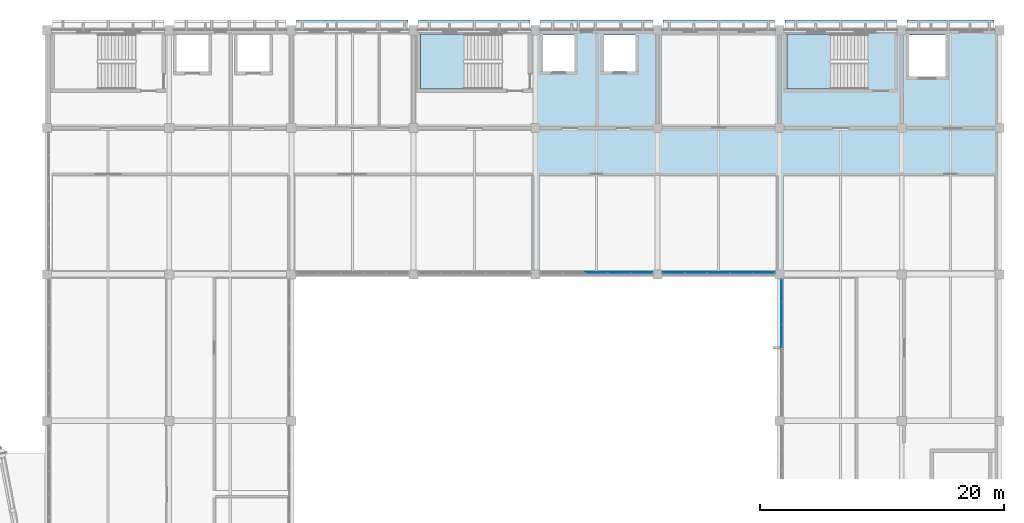
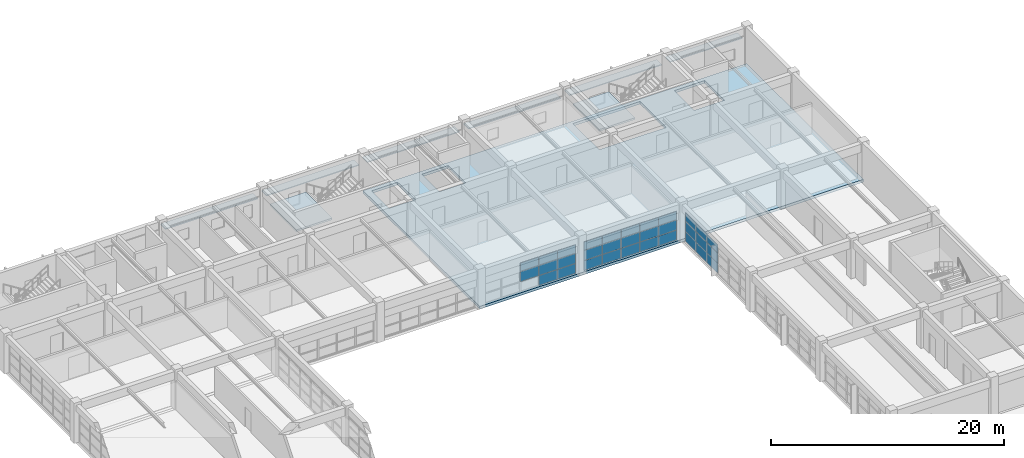
# One storey, part 57 of 83: 38 plates, 3 slabs, 5 elements without a shape of their own.
"""IFC4 building model written with IfcOpenShell, lengths in metres."""

from ifc_helpers import new_model, si_unit, direction, frame, origin, origin_2d, place, context, subcontext, project, spatial, polyline, rectangle, outline, extrude, material, layer, layer_set, type_object, element, aggregate, save


model = new_model("IFC4")

# Units and contexts
model_context = context("Model", 3, precision=1e-05, world=origin(), true_north=direction((0.0, 1.0)))
body_context = subcontext(model_context, "Body", "Model", "MODEL_VIEW")
ifc_project = project(units=[si_unit("LENGTHUNIT", "METRE"), si_unit("AREAUNIT", "SQUARE_METRE"), si_unit("VOLUMEUNIT", "CUBIC_METRE"), si_unit("PLANEANGLEUNIT", "RADIAN"), si_unit("MASSUNIT", "GRAM", prefix="KILO")], contexts=[model_context])

# Site, building, storey
site_placement = place(None, origin())
site = spatial("IfcSite", under=ifc_project, at=site_placement, CompositionType="ELEMENT")
building_placement = place(site_placement, origin())
building = spatial("IfcBuilding", under=site, at=building_placement, Name="Kivolera Central Railway Station", CompositionType="ELEMENT")
storey_placement = place(building_placement, frame((0.0, 0.0, 14.39990234375)))
storey = spatial("IfcBuildingStorey", under=building, at=storey_placement, Name="L03", CompositionType="ELEMENT", Elevation=14.39990234375)

# Curtain wall, plates
ifc_material_1 = material(Name="Anodised aluminium", Category="aluminium")
ifc_layer_1 = layer(ifc_material_1, 0.179931640625, Name="Anodised aluminium")
ifc_layer_set_1 = layer_set([ifc_layer_1], Name="Anodised aluminium")
curtain_wall_type_1 = type_object("IfcCurtainWallType", Name="CW-SYS-30", PredefinedType="NOTDEFINED", material=ifc_layer_set_1)
curtain_wall_1_placement = place(storey_placement, origin())
curtain_wall_1 = element("IfcCurtainWall", 1, at=curtain_wall_1_placement, inside=storey, type_object=curtain_wall_type_1, Name="L03 Curtain Wall CW-L03-CRTE-J", PredefinedType="NOTDEFINED")
ifc_material_2 = material(Name="Double low-E laminated glass", Category="glass")
ifc_layer_2 = layer(ifc_material_2, 0.030029296875, Name="Double low-E laminated glass")
ifc_layer_set_2 = layer_set([ifc_layer_2], Name="Double low-E laminated glass")
plate_type_1 = type_object("IfcPlateType", Name="CWP-GLZ-2", PredefinedType="CURTAIN_PANEL", material=ifc_layer_set_2)
plate_1_placement = place(storey_placement, frame((178.14501953125, 108.938232421875, 0.048095703125), z_axis=(0.0, 0.0, 1.0), x_axis=(0.0, 1.0, 0.0)))
plate_1 = element("IfcPlate", 2, at=plate_1_placement, type_object=plate_type_1, Name="CW-30 panel 4.1", PredefinedType="CURTAIN_PANEL", context=body_context, shape_type="SweptSolid", body=[
    extrude(rectangle(XDim=1.840576171875, YDim=0.030029296875, at=origin_2d()), origin(), (0.0, 0.0, 1.0), 1.01123046875),
])
plate_2_placement = place(storey_placement, frame((178.14501953125, 108.938232421875, 1.09521484375), z_axis=(0.0, 0.0, 1.0), x_axis=(0.0, 1.0, 0.0)))
plate_2 = element("IfcPlate", 3, at=plate_2_placement, type_object=plate_type_1, Name="CW-30 panel 4.2", PredefinedType="CURTAIN_PANEL", context=body_context, shape_type="SweptSolid", body=[
    extrude(rectangle(XDim=1.840576171875, YDim=0.030029296875, at=origin_2d()), origin(), (0.0, 0.0, 1.0), 1.041259765625),
])
plate_3_placement = place(storey_placement, frame((178.14501953125, 108.938232421875, 2.172607421875), z_axis=(0.0, 0.0, 1.0), x_axis=(0.0, 1.0, 0.0)))
plate_3 = element("IfcPlate", 4, at=plate_3_placement, type_object=plate_type_1, Name="CW-30 panel 4.3", PredefinedType="CURTAIN_PANEL", context=body_context, shape_type="SweptSolid", body=[
    extrude(rectangle(XDim=1.840576171875, YDim=0.030029296875, at=origin_2d()), origin(), (0.0, 0.0, 1.0), 0.857421875),
])
plate_4_placement = place(storey_placement, frame((178.14501953125, 110.81494140625, 0.048095703125), z_axis=(0.0, 0.0, 1.0), x_axis=(0.0, 1.0, 0.0)))
plate_4 = element("IfcPlate", 5, at=plate_4_placement, type_object=plate_type_1, Name="CW-30 panel 5.1", PredefinedType="CURTAIN_PANEL", context=body_context, shape_type="SweptSolid", body=[
    extrude(rectangle(XDim=1.840576171875, YDim=0.030029296875, at=origin_2d()), origin(), (0.0, 0.0, 1.0), 1.01123046875),
])
plate_5_placement = place(storey_placement, frame((178.14501953125, 110.81494140625, 1.09521484375), z_axis=(0.0, 0.0, 1.0), x_axis=(0.0, 1.0, 0.0)))
plate_5 = element("IfcPlate", 6, at=plate_5_placement, type_object=plate_type_1, Name="CW-30 panel 5.2", PredefinedType="CURTAIN_PANEL", context=body_context, shape_type="SweptSolid", body=[
    extrude(rectangle(XDim=1.840576171875, YDim=0.030029296875, at=origin_2d()), origin(), (0.0, 0.0, 1.0), 1.041259765625),
])
plate_6_placement = place(storey_placement, frame((178.14501953125, 110.81494140625, 2.172607421875), z_axis=(0.0, 0.0, 1.0), x_axis=(0.0, 1.0, 0.0)))
plate_6 = element("IfcPlate", 7, at=plate_6_placement, type_object=plate_type_1, Name="CW-30 panel 5.3", PredefinedType="CURTAIN_PANEL", context=body_context, shape_type="SweptSolid", body=[
    extrude(rectangle(XDim=1.840576171875, YDim=0.030029296875, at=origin_2d()), origin(), (0.0, 0.0, 1.0), 0.857421875),
])
plate_7_placement = place(storey_placement, frame((178.14501953125, 112.6767578125, 0.048095703125), z_axis=(0.0, 0.0, 1.0), x_axis=(0.0, 1.0, 0.0)))
plate_7 = element("IfcPlate", 8, at=plate_7_placement, type_object=plate_type_1, Name="CW-30 panel 6.1", PredefinedType="CURTAIN_PANEL", context=body_context, shape_type="SweptSolid", body=[
    extrude(rectangle(XDim=1.810546875, YDim=0.030029296875, at=origin_2d()), origin(), (0.0, 0.0, 1.0), 1.01123046875),
])
plate_8_placement = place(storey_placement, frame((178.14501953125, 112.6767578125, 1.09521484375), z_axis=(0.0, 0.0, 1.0), x_axis=(0.0, 1.0, 0.0)))
plate_8 = element("IfcPlate", 9, at=plate_8_placement, type_object=plate_type_1, Name="CW-30 panel 6.2", PredefinedType="CURTAIN_PANEL", context=body_context, shape_type="SweptSolid", body=[
    extrude(rectangle(XDim=1.810546875, YDim=0.030029296875, at=origin_2d()), origin(), (0.0, 0.0, 1.0), 1.041259765625),
])
plate_9_placement = place(storey_placement, frame((178.14501953125, 112.6767578125, 2.172607421875), z_axis=(0.0, 0.0, 1.0), x_axis=(0.0, 1.0, 0.0)))
plate_9 = element("IfcPlate", 10, at=plate_9_placement, type_object=plate_type_1, Name="CW-30 panel 6.3", PredefinedType="CURTAIN_PANEL", context=body_context, shape_type="SweptSolid", body=[
    extrude(rectangle(XDim=1.810546875, YDim=0.030029296875, at=origin_2d()), origin(), (0.0, 0.0, 1.0), 0.857421875),
])
aggregate(curtain_wall_1, [plate_1, plate_2, plate_3, plate_4, plate_5, plate_6, plate_7, plate_8, plate_9])

ifc_layer_3 = layer(ifc_material_1, 0.179931640625, Name="Anodised aluminium")
ifc_layer_set_3 = layer_set([ifc_layer_3], Name="Anodised aluminium")
curtain_wall_type_2 = type_object("IfcCurtainWallType", Name="CW-SYS-29", PredefinedType="NOTDEFINED", material=ifc_layer_set_3)
curtain_wall_2_placement = place(storey_placement, origin())
curtain_wall_2 = element("IfcCurtainWall", 11, at=curtain_wall_2_placement, inside=storey, type_object=curtain_wall_type_2, Name="L03 Curtain Wall CW-L03-CRTN-158", PredefinedType="NOTDEFINED")
ifc_layer_4 = layer(ifc_material_2, 0.0380859375, Name="Double low-E laminated glass")
ifc_layer_set_4 = layer_set([ifc_layer_4], Name="Double low-E laminated glass")
plate_type_2 = type_object("IfcPlateType", Name="CWP-GLZ-4", PredefinedType="CURTAIN_PANEL", material=ifc_layer_set_4)
plate_10_placement = place(storey_placement, frame((166.68896484375, 114.14501953125, 0.048095703125), z_axis=(0.0, 0.0, 1.0), x_axis=(-1.0, 0.0, 0.0)))
plate_10 = element("IfcPlate", 12, at=plate_10_placement, type_object=plate_type_2, Name="CW-29 panel 1.1", PredefinedType="CURTAIN_PANEL", context=body_context, shape_type="SweptSolid", body=[
    extrude(rectangle(XDim=1.785888671875, YDim=0.0380859375, at=origin_2d()), origin(), (0.0, 0.0, 1.0), 1.01123046875),
])
plate_11_placement = place(storey_placement, frame((166.68896484375, 114.14501953125, 1.09521484375), z_axis=(0.0, 0.0, 1.0), x_axis=(-1.0, 0.0, 0.0)))
plate_11 = element("IfcPlate", 13, at=plate_11_placement, type_object=plate_type_2, Name="CW-29 panel 1.2", PredefinedType="CURTAIN_PANEL", context=body_context, shape_type="SweptSolid", body=[
    extrude(rectangle(XDim=1.785888671875, YDim=0.0380859375, at=origin_2d()), origin(), (0.0, 0.0, 1.0), 1.041259765625),
])
plate_12_placement = place(storey_placement, frame((166.68896484375, 114.14501953125, 2.172607421875), z_axis=(0.0, 0.0, 1.0), x_axis=(-1.0, 0.0, 0.0)))
plate_12 = element("IfcPlate", 14, at=plate_12_placement, type_object=plate_type_2, Name="CW-29 panel 1.3", PredefinedType="CURTAIN_PANEL", context=body_context, shape_type="SweptSolid", body=[
    extrude(rectangle(XDim=1.785888671875, YDim=0.0380859375, at=origin_2d()), origin(), (0.0, 0.0, 1.0), 0.857421875),
])
plate_13_placement = place(storey_placement, frame((164.85205078125, 114.14501953125, 0.048095703125), z_axis=(0.0, 0.0, 1.0), x_axis=(-1.0, 0.0, 0.0)))
plate_13 = element("IfcPlate", 15, at=plate_13_placement, type_object=plate_type_2, Name="CW-29 panel 2.1", PredefinedType="CURTAIN_PANEL", context=body_context, shape_type="SweptSolid", body=[
    extrude(rectangle(XDim=1.81591796875, YDim=0.0380859375, at=origin_2d()), origin(), (0.0, 0.0, 1.0), 1.01123046875),
])
plate_14_placement = place(storey_placement, frame((164.85205078125, 114.14501953125, 1.09521484375), z_axis=(0.0, 0.0, 1.0), x_axis=(-1.0, 0.0, 0.0)))
plate_14 = element("IfcPlate", 16, at=plate_14_placement, type_object=plate_type_2, Name="CW-29 panel 2.2", PredefinedType="CURTAIN_PANEL", context=body_context, shape_type="SweptSolid", body=[
    extrude(rectangle(XDim=1.81591796875, YDim=0.0380859375, at=origin_2d()), origin(), (0.0, 0.0, 1.0), 1.041259765625),
])
plate_15_placement = place(storey_placement, frame((164.85205078125, 114.14501953125, 2.172607421875), z_axis=(0.0, 0.0, 1.0), x_axis=(-1.0, 0.0, 0.0)))
plate_15 = element("IfcPlate", 17, at=plate_15_placement, type_object=plate_type_2, Name="CW-29 panel 2.3", PredefinedType="CURTAIN_PANEL", context=body_context, shape_type="SweptSolid", body=[
    extrude(rectangle(XDim=1.81591796875, YDim=0.0380859375, at=origin_2d()), origin(), (0.0, 0.0, 1.0), 0.857421875),
])
plate_16_placement = place(storey_placement, frame((163.0, 114.14501953125, 1.09521484375), z_axis=(0.0, 0.0, 1.0), x_axis=(-1.0, 0.0, 0.0)))
plate_16 = element("IfcPlate", 18, at=plate_16_placement, type_object=plate_type_2, Name="CW-29 panel 3.2", PredefinedType="CURTAIN_PANEL", context=body_context, shape_type="SweptSolid", body=[
    extrude(rectangle(XDim=1.81591796875, YDim=0.0380859375, at=origin_2d()), origin(), (0.0, 0.0, 1.0), 1.041259765625),
])
plate_17_placement = place(storey_placement, frame((163.0, 114.14501953125, 2.172607421875), z_axis=(0.0, 0.0, 1.0), x_axis=(-1.0, 0.0, 0.0)))
plate_17 = element("IfcPlate", 19, at=plate_17_placement, type_object=plate_type_2, Name="CW-29 panel 3.3", PredefinedType="CURTAIN_PANEL", context=body_context, shape_type="SweptSolid", body=[
    extrude(rectangle(XDim=1.81591796875, YDim=0.0380859375, at=origin_2d()), origin(), (0.0, 0.0, 1.0), 0.857421875),
])
aggregate(curtain_wall_2, [plate_10, plate_11, plate_12, plate_13, plate_14, plate_15, plate_16, plate_17])

curtain_wall_3_placement = place(storey_placement, origin())
curtain_wall_3 = element("IfcCurtainWall", 20, at=curtain_wall_3_placement, inside=storey, type_object=curtain_wall_type_2, Name="L03 Curtain Wall CW-L03-CRTN-168", PredefinedType="NOTDEFINED")
ifc_layer_5 = layer(ifc_material_2, 0.0419921875, Name="Double low-E laminated glass")
ifc_layer_set_5 = layer_set([ifc_layer_5], Name="Double low-E laminated glass")
plate_type_3 = type_object("IfcPlateType", Name="CWP-GLZ-5", PredefinedType="CURTAIN_PANEL", material=ifc_layer_set_5)
plate_18_placement = place(storey_placement, frame((176.68896484375, 114.14501953125, 0.048095703125), z_axis=(0.0, 0.0, 1.0), x_axis=(-1.0, 0.0, 0.0)))
plate_18 = element("IfcPlate", 21, at=plate_18_placement, type_object=plate_type_3, Name="CW-29 panel 1.1", PredefinedType="CURTAIN_PANEL", context=body_context, shape_type="SweptSolid", body=[
    extrude(rectangle(XDim=1.785888671875, YDim=0.0419921875, at=origin_2d()), origin(), (0.0, 0.0, 1.0), 1.01123046875),
])
plate_19_placement = place(storey_placement, frame((176.68896484375, 114.14501953125, 1.09521484375), z_axis=(0.0, 0.0, 1.0), x_axis=(-1.0, 0.0, 0.0)))
plate_19 = element("IfcPlate", 22, at=plate_19_placement, type_object=plate_type_3, Name="CW-29 panel 1.2", PredefinedType="CURTAIN_PANEL", context=body_context, shape_type="SweptSolid", body=[
    extrude(rectangle(XDim=1.785888671875, YDim=0.0419921875, at=origin_2d()), origin(), (0.0, 0.0, 1.0), 1.041259765625),
])
plate_20_placement = place(storey_placement, frame((176.68896484375, 114.14501953125, 2.172607421875), z_axis=(0.0, 0.0, 1.0), x_axis=(-1.0, 0.0, 0.0)))
plate_20 = element("IfcPlate", 23, at=plate_20_placement, type_object=plate_type_3, Name="CW-29 panel 1.3", PredefinedType="CURTAIN_PANEL", context=body_context, shape_type="SweptSolid", body=[
    extrude(rectangle(XDim=1.785888671875, YDim=0.0419921875, at=origin_2d()), origin(), (0.0, 0.0, 1.0), 0.857421875),
])
plate_21_placement = place(storey_placement, frame((174.85205078125, 114.14501953125, 0.048095703125), z_axis=(0.0, 0.0, 1.0), x_axis=(-1.0, 0.0, 0.0)))
plate_21 = element("IfcPlate", 24, at=plate_21_placement, type_object=plate_type_3, Name="CW-29 panel 2.1", PredefinedType="CURTAIN_PANEL", context=body_context, shape_type="SweptSolid", body=[
    extrude(rectangle(XDim=1.81591796875, YDim=0.0419921875, at=origin_2d()), origin(), (0.0, 0.0, 1.0), 1.01123046875),
])
plate_22_placement = place(storey_placement, frame((174.85205078125, 114.14501953125, 1.09521484375), z_axis=(0.0, 0.0, 1.0), x_axis=(-1.0, 0.0, 0.0)))
plate_22 = element("IfcPlate", 25, at=plate_22_placement, type_object=plate_type_3, Name="CW-29 panel 2.2", PredefinedType="CURTAIN_PANEL", context=body_context, shape_type="SweptSolid", body=[
    extrude(rectangle(XDim=1.81591796875, YDim=0.0419921875, at=origin_2d()), origin(), (0.0, 0.0, 1.0), 1.041259765625),
])
plate_23_placement = place(storey_placement, frame((174.85205078125, 114.14501953125, 2.172607421875), z_axis=(0.0, 0.0, 1.0), x_axis=(-1.0, 0.0, 0.0)))
plate_23 = element("IfcPlate", 26, at=plate_23_placement, type_object=plate_type_3, Name="CW-29 panel 2.3", PredefinedType="CURTAIN_PANEL", context=body_context, shape_type="SweptSolid", body=[
    extrude(rectangle(XDim=1.81591796875, YDim=0.0419921875, at=origin_2d()), origin(), (0.0, 0.0, 1.0), 0.857421875),
])
plate_24_placement = place(storey_placement, frame((173.0, 114.14501953125, 0.048095703125), z_axis=(0.0, 0.0, 1.0), x_axis=(-1.0, 0.0, 0.0)))
plate_24 = element("IfcPlate", 27, at=plate_24_placement, type_object=plate_type_3, Name="CW-29 panel 3.1", PredefinedType="CURTAIN_PANEL", context=body_context, shape_type="SweptSolid", body=[
    extrude(rectangle(XDim=1.81591796875, YDim=0.0419921875, at=origin_2d()), origin(), (0.0, 0.0, 1.0), 1.01123046875),
])
plate_25_placement = place(storey_placement, frame((173.0, 114.14501953125, 1.09521484375), z_axis=(0.0, 0.0, 1.0), x_axis=(-1.0, 0.0, 0.0)))
plate_25 = element("IfcPlate", 28, at=plate_25_placement, type_object=plate_type_3, Name="CW-29 panel 3.2", PredefinedType="CURTAIN_PANEL", context=body_context, shape_type="SweptSolid", body=[
    extrude(rectangle(XDim=1.81591796875, YDim=0.0419921875, at=origin_2d()), origin(), (0.0, 0.0, 1.0), 1.041259765625),
])
plate_26_placement = place(storey_placement, frame((173.0, 114.14501953125, 2.172607421875), z_axis=(0.0, 0.0, 1.0), x_axis=(-1.0, 0.0, 0.0)))
plate_26 = element("IfcPlate", 29, at=plate_26_placement, type_object=plate_type_3, Name="CW-29 panel 3.3", PredefinedType="CURTAIN_PANEL", context=body_context, shape_type="SweptSolid", body=[
    extrude(rectangle(XDim=1.81591796875, YDim=0.0419921875, at=origin_2d()), origin(), (0.0, 0.0, 1.0), 0.857421875),
])
plate_27_placement = place(storey_placement, frame((171.14794921875, 114.14501953125, 0.048095703125), z_axis=(0.0, 0.0, 1.0), x_axis=(-1.0, 0.0, 0.0)))
plate_27 = element("IfcPlate", 30, at=plate_27_placement, type_object=plate_type_3, Name="CW-29 panel 4.1", PredefinedType="CURTAIN_PANEL", context=body_context, shape_type="SweptSolid", body=[
    extrude(rectangle(XDim=1.81591796875, YDim=0.0419921875, at=origin_2d()), origin(), (0.0, 0.0, 1.0), 1.01123046875),
])
plate_28_placement = place(storey_placement, frame((171.14794921875, 114.14501953125, 1.09521484375), z_axis=(0.0, 0.0, 1.0), x_axis=(-1.0, 0.0, 0.0)))
plate_28 = element("IfcPlate", 31, at=plate_28_placement, type_object=plate_type_3, Name="CW-29 panel 4.2", PredefinedType="CURTAIN_PANEL", context=body_context, shape_type="SweptSolid", body=[
    extrude(rectangle(XDim=1.81591796875, YDim=0.0419921875, at=origin_2d()), origin(), (0.0, 0.0, 1.0), 1.041259765625),
])
plate_29_placement = place(storey_placement, frame((171.14794921875, 114.14501953125, 2.172607421875), z_axis=(0.0, 0.0, 1.0), x_axis=(-1.0, 0.0, 0.0)))
plate_29 = element("IfcPlate", 32, at=plate_29_placement, type_object=plate_type_3, Name="CW-29 panel 4.3", PredefinedType="CURTAIN_PANEL", context=body_context, shape_type="SweptSolid", body=[
    extrude(rectangle(XDim=1.81591796875, YDim=0.0419921875, at=origin_2d()), origin(), (0.0, 0.0, 1.0), 0.857421875),
])
plate_30_placement = place(storey_placement, frame((169.31103515625, 114.14501953125, 0.048095703125), z_axis=(0.0, 0.0, 1.0), x_axis=(-1.0, 0.0, 0.0)))
plate_30 = element("IfcPlate", 33, at=plate_30_placement, type_object=plate_type_3, Name="CW-29 panel 5.1", PredefinedType="CURTAIN_PANEL", context=body_context, shape_type="SweptSolid", body=[
    extrude(rectangle(XDim=1.785888671875, YDim=0.0419921875, at=origin_2d()), origin(), (0.0, 0.0, 1.0), 1.01123046875),
])
plate_31_placement = place(storey_placement, frame((169.31103515625, 114.14501953125, 1.09521484375), z_axis=(0.0, 0.0, 1.0), x_axis=(-1.0, 0.0, 0.0)))
plate_31 = element("IfcPlate", 34, at=plate_31_placement, type_object=plate_type_3, Name="CW-29 panel 5.2", PredefinedType="CURTAIN_PANEL", context=body_context, shape_type="SweptSolid", body=[
    extrude(rectangle(XDim=1.785888671875, YDim=0.0419921875, at=origin_2d()), origin(), (0.0, 0.0, 1.0), 1.041259765625),
])
plate_32_placement = place(storey_placement, frame((169.31103515625, 114.14501953125, 2.172607421875), z_axis=(0.0, 0.0, 1.0), x_axis=(-1.0, 0.0, 0.0)))
plate_32 = element("IfcPlate", 35, at=plate_32_placement, type_object=plate_type_3, Name="CW-29 panel 5.3", PredefinedType="CURTAIN_PANEL", context=body_context, shape_type="SweptSolid", body=[
    extrude(rectangle(XDim=1.785888671875, YDim=0.0419921875, at=origin_2d()), origin(), (0.0, 0.0, 1.0), 0.857421875),
])
aggregate(curtain_wall_3, [plate_18, plate_19, plate_20, plate_21, plate_22, plate_23, plate_24, plate_25, plate_26, plate_27, plate_28, plate_29, plate_30, plate_31, plate_32])

# Plates
ifc_layer_6 = layer(ifc_material_1, 0.094970703125, Name="Anodised aluminium")
ifc_layer_set_6 = layer_set([ifc_layer_6], Name="Anodised aluminium")
plate_type_4 = type_object("IfcPlateType", Name="PLT-EGGHOOD-95", PredefinedType="SHEET", material=ifc_layer_set_6)
for number, where, z_axis, x_axis, name in (
    (36, (143.0, 134.4130859375, 2.7724609375), (0.0, 0.0, 1.0), (1.0, 0.0, 0.0), "L03 North Afro-Modernist Monsoon Sun-Hood 3"),
    (37, (153.0, 134.4130859375, 2.7724609375), (0.0, 0.0, 1.0), (1.0, 0.0, 0.0), "L03 North Afro-Modernist Monsoon Sun-Hood 4"),
    (38, (163.0, 134.4130859375, 2.7724609375), (0.0, 0.0, 1.0), (1.0, 0.0, 0.0), "L03 North Afro-Modernist Monsoon Sun-Hood 5"),
    (39, (173.0, 134.4130859375, 2.7724609375), (0.0, 0.0, 1.0), (1.0, 0.0, 0.0), "L03 North Afro-Modernist Monsoon Sun-Hood 6"),
    (40, (183.0, 134.4130859375, 2.7724609375), (0.0, 0.0, 1.0), (1.0, 0.0, 0.0), "L03 North Afro-Modernist Monsoon Sun-Hood 7"),
):
    element("IfcPlate", number, at=place(storey_placement, frame(where, z_axis=z_axis, x_axis=x_axis)), inside=storey, type_object=plate_type_4, Name=name, PredefinedType="SHEET", context=body_context, shape_type="SweptSolid", body=[
        extrude(rectangle(XDim=9.139892578125, YDim=0.85009765625, at=origin_2d()), origin(), (0.0, 0.0, 1.0), 0.094970703125),
    ])
plate_33_placement = place(storey_placement, frame((192.0, 134.4130859375, 2.7724609375), z_axis=(0.0, 0.0, 1.0), x_axis=(1.0, 0.0, 0.0)))
element("IfcPlate", 41, at=plate_33_placement, inside=storey, type_object=plate_type_4, Name="L03 North Afro-Modernist Monsoon Sun-Hood 8", PredefinedType="SHEET", context=body_context, shape_type="SweptSolid", body=[
    extrude(rectangle(XDim=7.139892578125, YDim=0.85009765625, at=origin_2d()), origin(), (0.0, 0.0, 1.0), 0.094970703125),
])

# Slab
ifc_material_3 = material(Name="Concrete C40/50", Category="concrete")
ifc_layer_7 = layer(ifc_material_3, 0.280029296875, Name="Concrete C40/50")
ifc_layer_set_7 = layer_set([ifc_layer_7], Name="Concrete C40/50")
slab_type_1 = type_object("IfcSlabType", Name="SLB-FLR-280", PredefinedType="FLOOR", material=ifc_layer_set_7)
slab_1_placement = place(storey_placement, frame((0.0, 0.0, -0.27978515625)))
element("IfcSlab", 42, at=slab_1_placement, inside=storey, type_object=slab_type_1, Name="L03 Wing NORTH-E Floor Slab", PredefinedType="FLOOR", context=body_context, shape_type="SweptSolid", body=[
    extrude(outline(polyline([(158.0, 114.0), (196.0, 114.0), (196.0, 134.0), (158.0, 134.0), (158.0, 114.0)]), holes=[polyline([(185.239990234375, 133.679931640625), (178.60009765625, 133.679931640625), (178.60009765625, 129.179931640625), (185.239990234375, 129.179931640625), (185.239990234375, 133.679931640625)]), polyline([(158.60009765625, 130.60009765625), (161.199951171875, 130.60009765625), (161.199951171875, 133.60009765625), (158.60009765625, 133.60009765625), (158.60009765625, 130.60009765625)]), polyline([(163.60009765625, 130.60009765625), (166.199951171875, 130.60009765625), (166.199951171875, 133.60009765625), (163.60009765625, 133.60009765625), (163.60009765625, 130.60009765625)]), polyline([(188.60009765625, 130.199951171875), (191.60009765625, 130.199951171875), (191.60009765625, 133.60009765625), (188.60009765625, 133.60009765625), (188.60009765625, 130.199951171875)])]), origin(), (0.0, 0.0, 1.0), 0.27978515625),
])

# Stair, slab
stair_type = type_object("IfcStairType", Name="STR-2160-24", PredefinedType="HALF_TURN_STAIR", material=ifc_material_3)
stair_1_placement = place(storey_placement, origin())
stair_1 = element("IfcStair", 43, at=stair_1_placement, inside=storey, type_object=stair_type, Name="L03 Protected Exit Stair ST2", PredefinedType="HALF_TURN_STAIR")
ifc_layer_8 = layer(ifc_material_3, 0.199951171875, Name="Concrete C40/50")
ifc_layer_set_8 = layer_set([ifc_layer_8], Name="Concrete C40/50")
slab_type_2 = type_object("IfcSlabType", Name="SLB-LND-200", PredefinedType="LANDING", material=ifc_layer_set_8)
slab_2_placement = place(storey_placement, frame((0.0, 0.0, 1.900146484375)))
slab_2 = element("IfcSlab", 44, at=slab_2_placement, type_object=slab_type_2, Name="ST2 landing 1", PredefinedType="LANDING", context=body_context, shape_type="SweptSolid", body=[
    extrude(outline(polyline([(152.159912109375, 133.679931640625), (148.60009765625, 133.679931640625), (148.60009765625, 129.179931640625), (152.159912109375, 129.179931640625), (152.159912109375, 133.679931640625)])), origin(), (0.0, 0.0, 1.0), 0.199951171875),
])
aggregate(stair_1, [slab_2])

stair_2_placement = place(storey_placement, origin())
stair_2 = element("IfcStair", 45, at=stair_2_placement, inside=storey, type_object=stair_type, Name="L03 Protected Exit Stair ST3", PredefinedType="HALF_TURN_STAIR")
slab_3_placement = place(storey_placement, frame((0.0, 0.0, 1.900146484375)))
slab_3 = element("IfcSlab", 46, at=slab_3_placement, type_object=slab_type_2, Name="ST3 landing 1", PredefinedType="LANDING", context=body_context, shape_type="SweptSolid", body=[
    extrude(outline(polyline([(182.159912109375, 133.679931640625), (178.60009765625, 133.679931640625), (178.60009765625, 129.179931640625), (182.159912109375, 129.179931640625), (182.159912109375, 133.679931640625)])), origin(), (0.0, 0.0, 1.0), 0.199951171875),
])
aggregate(stair_2, [slab_3])

save(model, "model.ifc")
